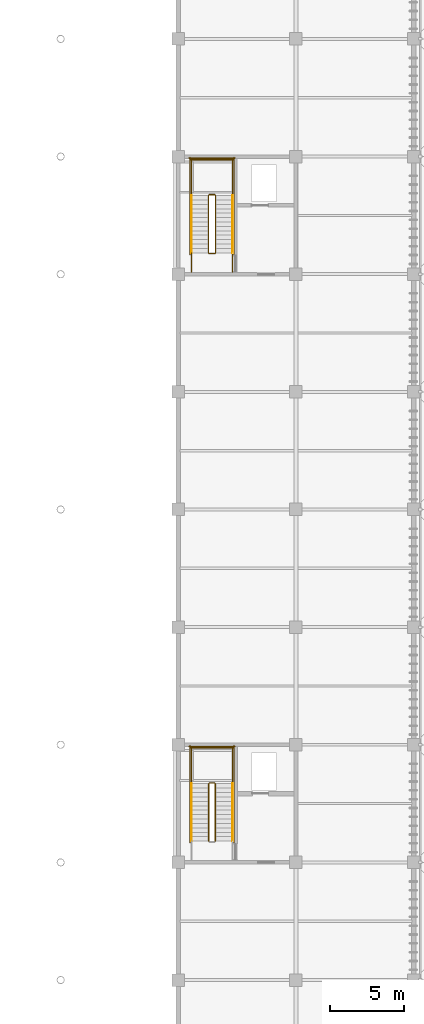
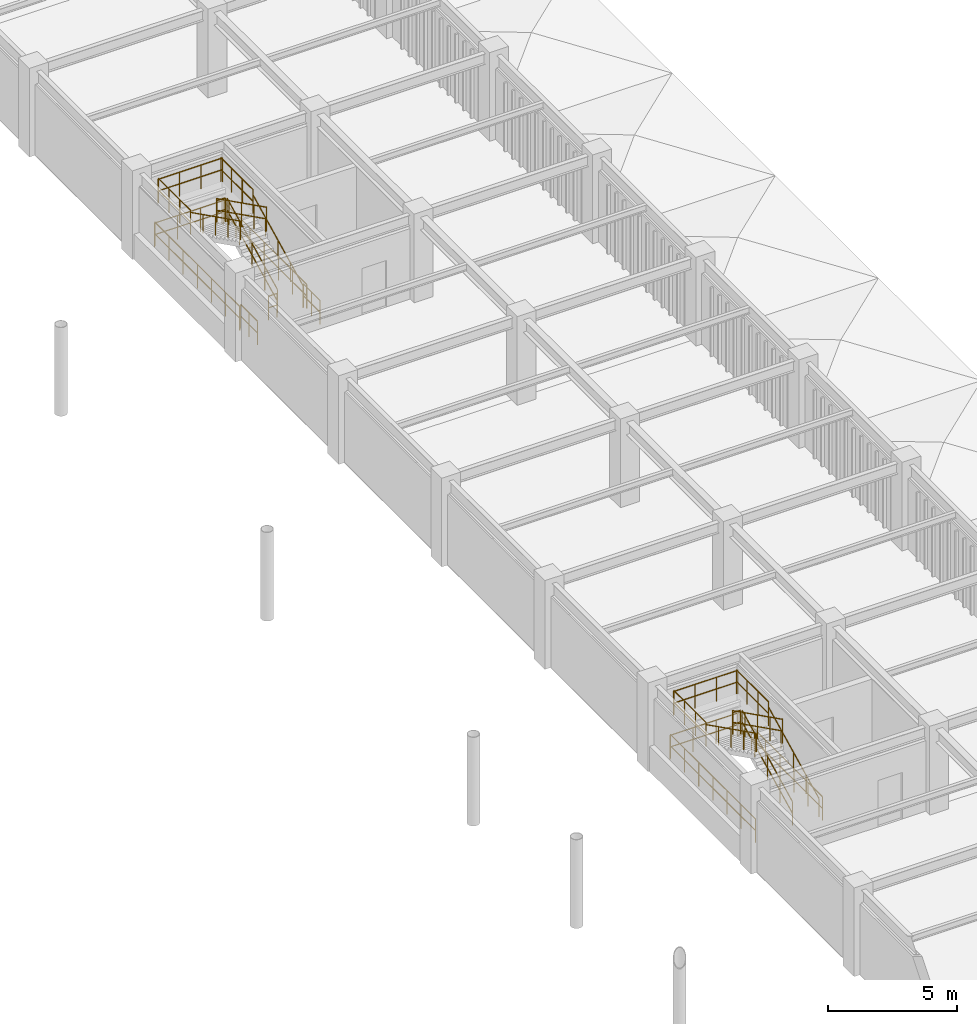
# One storey, part 76 of 78: 25 railings.
"""IFC4 building model written with IfcOpenShell, lengths in metres."""

from ifc_helpers import new_model, si_unit, direction, frame, origin, origin_2d, place, context, subcontext, project, spatial, circle, extrude, material, type_object, element, save


model = new_model("IFC4")

# Units and contexts
model_context = context("Model", 3, precision=1e-05, world=origin(), true_north=direction((0.0, 1.0)))
body_context = subcontext(model_context, "Body", "Model", "MODEL_VIEW")
ifc_project = project(units=[si_unit("LENGTHUNIT", "METRE"), si_unit("AREAUNIT", "SQUARE_METRE"), si_unit("VOLUMEUNIT", "CUBIC_METRE"), si_unit("PLANEANGLEUNIT", "RADIAN"), si_unit("MASSUNIT", "GRAM", prefix="KILO")], contexts=[model_context])

# Site, building, storey
site_placement = place(None, origin())
site = spatial("IfcSite", under=ifc_project, at=site_placement, CompositionType="ELEMENT")
building_placement = place(site_placement, origin())
building = spatial("IfcBuilding", under=site, at=building_placement, Name="Haebicheon Civic Stadium", CompositionType="ELEMENT")
storey_placement = place(building_placement, frame((0.0, 0.0, 18.60009765625)))
storey = spatial("IfcBuildingStorey", under=building, at=storey_placement, Name="L05", CompositionType="ELEMENT", Elevation=18.60009765625)

# Railings
ifc_material_1 = material(Name="Galvanised painted steel SM355", Category="steel")
railing_type_1 = type_object("IfcRailingType", Name="RL-GRD-1150", PredefinedType="GUARDRAIL", material=ifc_material_1)
railing_1_placement = place(storey_placement, frame((146.510009765625, 65.449951171875, 0.14990234375)))
element("IfcRailing", 1, at=railing_1_placement, inside=storey, type_object=railing_type_1, material=ifc_material_1, Name="L05 ST-10 stair guard 1", PredefinedType="GUARDRAIL", context=body_context, shape_type="SweptSolid", body=[
    extrude(circle(Radius=0.02392578125, at=origin_2d()), frame((0.0, 0.0, 1.1259765625), z_axis=(0.0, 0.894438388696, 0.447191199406), x_axis=(-1.0, 0.0, 0.0)), (0.0, 0.0, 1.0), 4.3603515625),
    extrude(circle(Radius=0.02392578125, at=origin_2d()), frame((0.0, 0.0, 0.574951171875), z_axis=(0.0, 0.894438388696, 0.447191199406), x_axis=(-1.0, 0.0, 0.0)), (0.0, 0.0, 1.0), 4.3603515625),
    extrude(circle(Radius=0.02099609375, at=origin_2d()), origin(), (0.0, 0.0, 1.0), 1.101806640625),
    extrude(circle(Radius=0.02099609375, at=origin_2d()), frame((0.0, 0.97509765625, 0.487548828125)), (0.0, 0.0, 1.0), 1.101806640625),
    extrude(circle(Radius=0.02099609375, at=origin_2d()), frame((0.0, 1.9501953125, 0.97509765625)), (0.0, 0.0, 1.0), 1.101806640625),
    extrude(circle(Radius=0.02099609375, at=origin_2d()), frame((0.0, 2.925048828125, 1.46240234375)), (0.0, 0.0, 1.0), 1.101806640625),
    extrude(circle(Radius=0.02099609375, at=origin_2d()), frame((0.0, 3.900146484375, 1.949951171875)), (0.0, 0.0, 1.0), 1.101806640625),
])
railing_2_placement = place(storey_placement, frame((146.4599609375, 69.39990234375, 2.099853515625)))
element("IfcRailing", 2, at=railing_2_placement, inside=storey, type_object=railing_type_1, material=ifc_material_1, Name="L05 ST-10 stair guard 2", PredefinedType="GUARDRAIL", context=body_context, shape_type="SweptSolid", body=[
    extrude(circle(Radius=0.02392578125, at=origin_2d()), frame((0.0, 0.0, 1.1259765625), z_axis=(-1.0, 0.0, 0.0), x_axis=(0.0, -1.0, 0.0)), (0.0, 0.0, 1.0), 0.33984375),
    extrude(circle(Radius=0.02392578125, at=origin_2d()), frame((0.0, 0.0, 0.574951171875), z_axis=(-1.0, 0.0, 0.0), x_axis=(0.0, -1.0, 0.0)), (0.0, 0.0, 1.0), 0.33984375),
    extrude(circle(Radius=0.02099609375, at=origin_2d()), origin(), (0.0, 0.0, 1.0), 1.101806640625),
    extrude(circle(Radius=0.02099609375, at=origin_2d()), frame((-0.33984375, 0.0, 0.0)), (0.0, 0.0, 1.0), 1.101806640625),
])
for number, where, name in (
    (3, (147.68994140625, 69.35009765625, 2.099853515625), "L05 ST-10 stair guard 3"),
    (4, (144.889892578125, 69.35009765625, 2.099853515625), "L05 ST-10 stair guard 4"),
):
    element("IfcRailing", number, at=place(storey_placement, frame(where)), inside=storey, type_object=railing_type_1, material=ifc_material_1, Name=name, PredefinedType="GUARDRAIL", context=body_context, shape_type="SweptSolid", body=[
        extrude(circle(Radius=0.02392578125, at=origin_2d()), frame((0.0, 0.0, 1.1259765625), z_axis=(0.0, 1.0, 0.0), x_axis=(-1.0, 0.0, 0.0)), (0.0, 0.0, 1.0), 2.489990234375),
        extrude(circle(Radius=0.02392578125, at=origin_2d()), frame((0.0, 0.0, 0.574951171875), z_axis=(0.0, 1.0, 0.0), x_axis=(-1.0, 0.0, 0.0)), (0.0, 0.0, 1.0), 2.489990234375),
        extrude(circle(Radius=0.02099609375, at=origin_2d()), origin(), (0.0, 0.0, 1.0), 1.101806640625),
        extrude(circle(Radius=0.02099609375, at=origin_2d()), frame((0.0, 0.830078125, 0.0)), (0.0, 0.0, 1.0), 1.101806640625),
        extrude(circle(Radius=0.02099609375, at=origin_2d()), frame((0.0, 1.659912109375, 0.0)), (0.0, 0.0, 1.0), 1.101806640625),
        extrude(circle(Radius=0.02099609375, at=origin_2d()), frame((0.0, 2.489990234375, 0.0)), (0.0, 0.0, 1.0), 1.101806640625),
    ])
railing_3_placement = place(storey_placement, frame((147.739990234375, 71.7900390625, 2.099853515625)))
element("IfcRailing", 5, at=railing_3_placement, inside=storey, type_object=railing_type_1, material=ifc_material_1, Name="L05 ST-10 stair guard 5", PredefinedType="GUARDRAIL", context=body_context, shape_type="SweptSolid", body=[
    extrude(circle(Radius=0.02392578125, at=origin_2d()), frame((0.0, 0.0, 1.1259765625), z_axis=(-1.0, 0.0, 0.0), x_axis=(0.0, -1.0, 0.0)), (0.0, 0.0, 1.0), 2.89990234375),
    extrude(circle(Radius=0.02392578125, at=origin_2d()), frame((0.0, 0.0, 0.574951171875), z_axis=(-1.0, 0.0, 0.0), x_axis=(0.0, -1.0, 0.0)), (0.0, 0.0, 1.0), 2.89990234375),
    extrude(circle(Radius=0.02099609375, at=origin_2d()), origin(), (0.0, 0.0, 1.0), 1.101806640625),
    extrude(circle(Radius=0.02099609375, at=origin_2d()), frame((-0.966552734375, 0.0, 0.0)), (0.0, 0.0, 1.0), 1.101806640625),
    extrude(circle(Radius=0.02099609375, at=origin_2d()), frame((-1.933349609375, 0.0, 0.0)), (0.0, 0.0, 1.0), 1.101806640625),
    extrude(circle(Radius=0.02099609375, at=origin_2d()), frame((-2.89990234375, 0.0, 0.0)), (0.0, 0.0, 1.0), 1.101806640625),
])
railing_4_placement = place(storey_placement, frame((146.070068359375, 69.35009765625, 2.25)))
element("IfcRailing", 6, at=railing_4_placement, inside=storey, type_object=railing_type_1, material=ifc_material_1, Name="L05 ST-10 stair guard 6", PredefinedType="GUARDRAIL", context=body_context, shape_type="SweptSolid", body=[
    extrude(circle(Radius=0.02392578125, at=origin_2d()), frame((0.0, 0.0, 1.1259765625), z_axis=(0.0, -0.894438388696, 0.447191199406), x_axis=(1.0, 0.0, 0.0)), (0.0, 0.0, 1.0), 4.3603515625),
    extrude(circle(Radius=0.02392578125, at=origin_2d()), frame((0.0, 0.0, 0.574951171875), z_axis=(0.0, -0.894438388696, 0.447191199406), x_axis=(1.0, 0.0, 0.0)), (0.0, 0.0, 1.0), 4.3603515625),
    extrude(circle(Radius=0.02099609375, at=origin_2d()), origin(), (0.0, 0.0, 1.0), 1.101806640625),
    extrude(circle(Radius=0.02099609375, at=origin_2d()), frame((0.0, -0.97509765625, 0.487548828125)), (0.0, 0.0, 1.0), 1.101806640625),
    extrude(circle(Radius=0.02099609375, at=origin_2d()), frame((0.0, -1.9501953125, 0.97509765625)), (0.0, 0.0, 1.0), 1.101806640625),
    extrude(circle(Radius=0.02099609375, at=origin_2d()), frame((0.0, -2.925048828125, 1.46240234375)), (0.0, 0.0, 1.0), 1.101806640625),
    extrude(circle(Radius=0.02099609375, at=origin_2d()), frame((0.0, -3.900146484375, 1.949951171875)), (0.0, 0.0, 1.0), 1.101806640625),
])
for number, where, name in (
    (7, (147.7900390625, 65.35009765625, 0.0), "L05 ST-10 stair guard 10"),
    (8, (144.7900390625, 65.35009765625, 0.0), "L05 ST-10 stair guard 11"),
):
    element("IfcRailing", number, at=place(storey_placement, frame(where)), inside=storey, type_object=railing_type_1, material=ifc_material_1, Name=name, PredefinedType="GUARDRAIL", context=body_context, shape_type="SweptSolid", body=[
        extrude(circle(Radius=0.02392578125, at=origin_2d()), frame((0.0, 0.0, 1.1259765625), z_axis=(0.0, 1.0, 0.0), x_axis=(-1.0, 0.0, 0.0)), (0.0, 0.0, 1.0), 6.58984375),
        extrude(circle(Radius=0.02392578125, at=origin_2d()), frame((0.0, 0.0, 0.574951171875), z_axis=(0.0, 1.0, 0.0), x_axis=(-1.0, 0.0, 0.0)), (0.0, 0.0, 1.0), 6.58984375),
        extrude(circle(Radius=0.02099609375, at=origin_2d()), origin(), (0.0, 0.0, 1.0), 1.101806640625),
        extrude(circle(Radius=0.02099609375, at=origin_2d()), frame((0.0, 1.098388671875, 0.0)), (0.0, 0.0, 1.0), 1.101806640625),
        extrude(circle(Radius=0.02099609375, at=origin_2d()), frame((0.0, 2.196533203125, 0.0)), (0.0, 0.0, 1.0), 1.101806640625),
        extrude(circle(Radius=0.02099609375, at=origin_2d()), frame((0.0, 3.294921875, 0.0)), (0.0, 0.0, 1.0), 1.101806640625),
        extrude(circle(Radius=0.02099609375, at=origin_2d()), frame((0.0, 4.393310546875, 0.0)), (0.0, 0.0, 1.0), 1.101806640625),
        extrude(circle(Radius=0.02099609375, at=origin_2d()), frame((0.0, 5.491455078125, 0.0)), (0.0, 0.0, 1.0), 1.101806640625),
        extrude(circle(Radius=0.02099609375, at=origin_2d()), frame((0.0, 6.58984375, 0.0)), (0.0, 0.0, 1.0), 1.101806640625),
    ])
railing_5_placement = place(storey_placement, frame((147.840087890625, 71.889892578125, 0.0)))
element("IfcRailing", 9, at=railing_5_placement, inside=storey, type_object=railing_type_1, material=ifc_material_1, Name="L05 ST-10 stair guard 12", PredefinedType="GUARDRAIL", context=body_context, shape_type="SweptSolid", body=[
    extrude(circle(Radius=0.02392578125, at=origin_2d()), frame((0.0, 0.0, 1.1259765625), z_axis=(-1.0, 0.0, 0.0), x_axis=(0.0, -1.0, 0.0)), (0.0, 0.0, 1.0), 3.10009765625),
    extrude(circle(Radius=0.02392578125, at=origin_2d()), frame((0.0, 0.0, 0.574951171875), z_axis=(-1.0, 0.0, 0.0), x_axis=(0.0, -1.0, 0.0)), (0.0, 0.0, 1.0), 3.10009765625),
    extrude(circle(Radius=0.02099609375, at=origin_2d()), origin(), (0.0, 0.0, 1.0), 1.101806640625),
    extrude(circle(Radius=0.02099609375, at=origin_2d()), frame((-1.033447265625, 0.0, 0.0)), (0.0, 0.0, 1.0), 1.101806640625),
    extrude(circle(Radius=0.02099609375, at=origin_2d()), frame((-2.066650390625, 0.0, 0.0)), (0.0, 0.0, 1.0), 1.101806640625),
    extrude(circle(Radius=0.02099609375, at=origin_2d()), frame((-3.10009765625, 0.0, 0.0)), (0.0, 0.0, 1.0), 1.101806640625),
])
railing_6_placement = place(storey_placement, frame((146.530029296875, 105.449951171875, 0.14990234375)))
element("IfcRailing", 10, at=railing_6_placement, inside=storey, type_object=railing_type_1, material=ifc_material_1, Name="L05 ST-11 stair guard 1", PredefinedType="GUARDRAIL", context=body_context, shape_type="SweptSolid", body=[
    extrude(circle(Radius=0.02392578125, at=origin_2d()), frame((0.0, 0.0, 1.1259765625), z_axis=(0.0, 0.894438388696, 0.447191199406), x_axis=(-1.0, 0.0, 0.0)), (0.0, 0.0, 1.0), 4.3603515625),
    extrude(circle(Radius=0.02392578125, at=origin_2d()), frame((0.0, 0.0, 0.574951171875), z_axis=(0.0, 0.894438388696, 0.447191199406), x_axis=(-1.0, 0.0, 0.0)), (0.0, 0.0, 1.0), 4.3603515625),
    extrude(circle(Radius=0.02099609375, at=origin_2d()), origin(), (0.0, 0.0, 1.0), 1.101806640625),
    extrude(circle(Radius=0.02099609375, at=origin_2d()), frame((0.0, 0.97509765625, 0.487548828125)), (0.0, 0.0, 1.0), 1.101806640625),
    extrude(circle(Radius=0.02099609375, at=origin_2d()), frame((0.0, 1.9501953125, 0.97509765625)), (0.0, 0.0, 1.0), 1.101806640625),
    extrude(circle(Radius=0.02099609375, at=origin_2d()), frame((0.0, 2.925048828125, 1.46240234375)), (0.0, 0.0, 1.0), 1.101806640625),
    extrude(circle(Radius=0.02099609375, at=origin_2d()), frame((0.0, 3.900146484375, 1.949951171875)), (0.0, 0.0, 1.0), 1.101806640625),
])
railing_7_placement = place(storey_placement, frame((146.47998046875, 109.39990234375, 2.099853515625)))
element("IfcRailing", 11, at=railing_7_placement, inside=storey, type_object=railing_type_1, material=ifc_material_1, Name="L05 ST-11 stair guard 2", PredefinedType="GUARDRAIL", context=body_context, shape_type="SweptSolid", body=[
    extrude(circle(Radius=0.02392578125, at=origin_2d()), frame((0.0, 0.0, 1.1259765625), z_axis=(-1.0, 0.0, 0.0), x_axis=(0.0, -1.0, 0.0)), (0.0, 0.0, 1.0), 0.3798828125),
    extrude(circle(Radius=0.02392578125, at=origin_2d()), frame((0.0, 0.0, 0.574951171875), z_axis=(-1.0, 0.0, 0.0), x_axis=(0.0, -1.0, 0.0)), (0.0, 0.0, 1.0), 0.3798828125),
    extrude(circle(Radius=0.02099609375, at=origin_2d()), origin(), (0.0, 0.0, 1.0), 1.101806640625),
    extrude(circle(Radius=0.02099609375, at=origin_2d()), frame((-0.3798828125, 0.0, 0.0)), (0.0, 0.0, 1.0), 1.101806640625),
])
for number, where, name in (
    (12, (147.68994140625, 109.35009765625, 2.099853515625), "L05 ST-11 stair guard 3"),
    (13, (144.889892578125, 109.35009765625, 2.099853515625), "L05 ST-11 stair guard 4"),
):
    element("IfcRailing", number, at=place(storey_placement, frame(where)), inside=storey, type_object=railing_type_1, material=ifc_material_1, Name=name, PredefinedType="GUARDRAIL", context=body_context, shape_type="SweptSolid", body=[
        extrude(circle(Radius=0.02392578125, at=origin_2d()), frame((0.0, 0.0, 1.1259765625), z_axis=(0.0, 1.0, 0.0), x_axis=(-1.0, 0.0, 0.0)), (0.0, 0.0, 1.0), 2.489990234375),
        extrude(circle(Radius=0.02392578125, at=origin_2d()), frame((0.0, 0.0, 0.574951171875), z_axis=(0.0, 1.0, 0.0), x_axis=(-1.0, 0.0, 0.0)), (0.0, 0.0, 1.0), 2.489990234375),
        extrude(circle(Radius=0.02099609375, at=origin_2d()), origin(), (0.0, 0.0, 1.0), 1.101806640625),
        extrude(circle(Radius=0.02099609375, at=origin_2d()), frame((0.0, 0.830078125, 0.0)), (0.0, 0.0, 1.0), 1.101806640625),
        extrude(circle(Radius=0.02099609375, at=origin_2d()), frame((0.0, 1.659912109375, 0.0)), (0.0, 0.0, 1.0), 1.101806640625),
        extrude(circle(Radius=0.02099609375, at=origin_2d()), frame((0.0, 2.489990234375, 0.0)), (0.0, 0.0, 1.0), 1.101806640625),
    ])
railing_8_placement = place(storey_placement, frame((147.739990234375, 111.7900390625, 2.099853515625)))
element("IfcRailing", 14, at=railing_8_placement, inside=storey, type_object=railing_type_1, material=ifc_material_1, Name="L05 ST-11 stair guard 5", PredefinedType="GUARDRAIL", context=body_context, shape_type="SweptSolid", body=[
    extrude(circle(Radius=0.02392578125, at=origin_2d()), frame((0.0, 0.0, 1.1259765625), z_axis=(-1.0, 0.0, 0.0), x_axis=(0.0, -1.0, 0.0)), (0.0, 0.0, 1.0), 2.89990234375),
    extrude(circle(Radius=0.02392578125, at=origin_2d()), frame((0.0, 0.0, 0.574951171875), z_axis=(-1.0, 0.0, 0.0), x_axis=(0.0, -1.0, 0.0)), (0.0, 0.0, 1.0), 2.89990234375),
    extrude(circle(Radius=0.02099609375, at=origin_2d()), origin(), (0.0, 0.0, 1.0), 1.101806640625),
    extrude(circle(Radius=0.02099609375, at=origin_2d()), frame((-0.966552734375, 0.0, 0.0)), (0.0, 0.0, 1.0), 1.101806640625),
    extrude(circle(Radius=0.02099609375, at=origin_2d()), frame((-1.933349609375, 0.0, 0.0)), (0.0, 0.0, 1.0), 1.101806640625),
    extrude(circle(Radius=0.02099609375, at=origin_2d()), frame((-2.89990234375, 0.0, 0.0)), (0.0, 0.0, 1.0), 1.101806640625),
])
railing_9_placement = place(storey_placement, frame((146.050048828125, 109.35009765625, 2.25)))
element("IfcRailing", 15, at=railing_9_placement, inside=storey, type_object=railing_type_1, material=ifc_material_1, Name="L05 ST-11 stair guard 6", PredefinedType="GUARDRAIL", context=body_context, shape_type="SweptSolid", body=[
    extrude(circle(Radius=0.02392578125, at=origin_2d()), frame((0.0, 0.0, 1.1259765625), z_axis=(0.0, -0.894438388696, 0.447191199406), x_axis=(1.0, 0.0, 0.0)), (0.0, 0.0, 1.0), 4.3603515625),
    extrude(circle(Radius=0.02392578125, at=origin_2d()), frame((0.0, 0.0, 0.574951171875), z_axis=(0.0, -0.894438388696, 0.447191199406), x_axis=(1.0, 0.0, 0.0)), (0.0, 0.0, 1.0), 4.3603515625),
    extrude(circle(Radius=0.02099609375, at=origin_2d()), origin(), (0.0, 0.0, 1.0), 1.101806640625),
    extrude(circle(Radius=0.02099609375, at=origin_2d()), frame((0.0, -0.97509765625, 0.487548828125)), (0.0, 0.0, 1.0), 1.101806640625),
    extrude(circle(Radius=0.02099609375, at=origin_2d()), frame((0.0, -1.9501953125, 0.97509765625)), (0.0, 0.0, 1.0), 1.101806640625),
    extrude(circle(Radius=0.02099609375, at=origin_2d()), frame((0.0, -2.925048828125, 1.46240234375)), (0.0, 0.0, 1.0), 1.101806640625),
    extrude(circle(Radius=0.02099609375, at=origin_2d()), frame((0.0, -3.900146484375, 1.949951171875)), (0.0, 0.0, 1.0), 1.101806640625),
])
railing_10_placement = place(storey_placement, frame((146.47998046875, 105.39990234375, 0.0)))
element("IfcRailing", 16, at=railing_10_placement, inside=storey, type_object=railing_type_1, material=ifc_material_1, Name="L05 ST-11 stair guard 7", PredefinedType="GUARDRAIL", context=body_context, shape_type="SweptSolid", body=[
    extrude(circle(Radius=0.02392578125, at=origin_2d()), frame((0.0, 0.0, 1.1259765625), z_axis=(-1.0, 0.0, 0.0), x_axis=(0.0, -1.0, 0.0)), (0.0, 0.0, 1.0), 0.3798828125),
    extrude(circle(Radius=0.02392578125, at=origin_2d()), frame((0.0, 0.0, 0.574951171875), z_axis=(-1.0, 0.0, 0.0), x_axis=(0.0, -1.0, 0.0)), (0.0, 0.0, 1.0), 0.3798828125),
    extrude(circle(Radius=0.02099609375, at=origin_2d()), origin(), (0.0, 0.0, 1.0), 1.101806640625),
    extrude(circle(Radius=0.02099609375, at=origin_2d()), frame((-0.3798828125, 0.0, 0.0)), (0.0, 0.0, 1.0), 1.101806640625),
])
for number, where, name in (
    (17, (147.68994140625, 104.159912109375, 0.0), "L05 ST-11 stair guard 8"),
    (18, (144.889892578125, 104.159912109375, 0.0), "L05 ST-11 stair guard 9"),
):
    element("IfcRailing", number, at=place(storey_placement, frame(where)), inside=storey, type_object=railing_type_1, material=ifc_material_1, Name=name, PredefinedType="GUARDRAIL", context=body_context, shape_type="SweptSolid", body=[
        extrude(circle(Radius=0.02392578125, at=origin_2d()), frame((0.0, 0.0, 1.1259765625), z_axis=(0.0, 1.0, 0.0), x_axis=(-1.0, 0.0, 0.0)), (0.0, 0.0, 1.0), 1.2900390625),
        extrude(circle(Radius=0.02392578125, at=origin_2d()), frame((0.0, 0.0, 0.574951171875), z_axis=(0.0, 1.0, 0.0), x_axis=(-1.0, 0.0, 0.0)), (0.0, 0.0, 1.0), 1.2900390625),
        extrude(circle(Radius=0.02099609375, at=origin_2d()), origin(), (0.0, 0.0, 1.0), 1.101806640625),
        extrude(circle(Radius=0.02099609375, at=origin_2d()), frame((0.0, 0.64501953125, 0.0)), (0.0, 0.0, 1.0), 1.101806640625),
        extrude(circle(Radius=0.02099609375, at=origin_2d()), frame((0.0, 1.2900390625, 0.0)), (0.0, 0.0, 1.0), 1.101806640625),
    ])
for number, where, name in (
    (19, (147.7900390625, 105.35009765625, 0.0), "L05 ST-11 stair guard 10"),
    (20, (144.7900390625, 105.35009765625, 0.0), "L05 ST-11 stair guard 11"),
):
    element("IfcRailing", number, at=place(storey_placement, frame(where)), inside=storey, type_object=railing_type_1, material=ifc_material_1, Name=name, PredefinedType="GUARDRAIL", context=body_context, shape_type="SweptSolid", body=[
        extrude(circle(Radius=0.02392578125, at=origin_2d()), frame((0.0, 0.0, 1.1259765625), z_axis=(0.0, 1.0, 0.0), x_axis=(-1.0, 0.0, 0.0)), (0.0, 0.0, 1.0), 6.58984375),
        extrude(circle(Radius=0.02392578125, at=origin_2d()), frame((0.0, 0.0, 0.574951171875), z_axis=(0.0, 1.0, 0.0), x_axis=(-1.0, 0.0, 0.0)), (0.0, 0.0, 1.0), 6.58984375),
        extrude(circle(Radius=0.02099609375, at=origin_2d()), origin(), (0.0, 0.0, 1.0), 1.101806640625),
        extrude(circle(Radius=0.02099609375, at=origin_2d()), frame((0.0, 1.098388671875, 0.0)), (0.0, 0.0, 1.0), 1.101806640625),
        extrude(circle(Radius=0.02099609375, at=origin_2d()), frame((0.0, 2.196533203125, 0.0)), (0.0, 0.0, 1.0), 1.101806640625),
        extrude(circle(Radius=0.02099609375, at=origin_2d()), frame((0.0, 3.294921875, 0.0)), (0.0, 0.0, 1.0), 1.101806640625),
        extrude(circle(Radius=0.02099609375, at=origin_2d()), frame((0.0, 4.393310546875, 0.0)), (0.0, 0.0, 1.0), 1.101806640625),
        extrude(circle(Radius=0.02099609375, at=origin_2d()), frame((0.0, 5.491455078125, 0.0)), (0.0, 0.0, 1.0), 1.101806640625),
        extrude(circle(Radius=0.02099609375, at=origin_2d()), frame((0.0, 6.58984375, 0.0)), (0.0, 0.0, 1.0), 1.101806640625),
    ])
railing_11_placement = place(storey_placement, frame((147.840087890625, 111.889892578125, 0.0)))
element("IfcRailing", 21, at=railing_11_placement, inside=storey, type_object=railing_type_1, material=ifc_material_1, Name="L05 ST-11 stair guard 12", PredefinedType="GUARDRAIL", context=body_context, shape_type="SweptSolid", body=[
    extrude(circle(Radius=0.02392578125, at=origin_2d()), frame((0.0, 0.0, 1.1259765625), z_axis=(-1.0, 0.0, 0.0), x_axis=(0.0, -1.0, 0.0)), (0.0, 0.0, 1.0), 3.10009765625),
    extrude(circle(Radius=0.02392578125, at=origin_2d()), frame((0.0, 0.0, 0.574951171875), z_axis=(-1.0, 0.0, 0.0), x_axis=(0.0, -1.0, 0.0)), (0.0, 0.0, 1.0), 3.10009765625),
    extrude(circle(Radius=0.02099609375, at=origin_2d()), origin(), (0.0, 0.0, 1.0), 1.101806640625),
    extrude(circle(Radius=0.02099609375, at=origin_2d()), frame((-1.033447265625, 0.0, 0.0)), (0.0, 0.0, 1.0), 1.101806640625),
    extrude(circle(Radius=0.02099609375, at=origin_2d()), frame((-2.066650390625, 0.0, 0.0)), (0.0, 0.0, 1.0), 1.101806640625),
    extrude(circle(Radius=0.02099609375, at=origin_2d()), frame((-3.10009765625, 0.0, 0.0)), (0.0, 0.0, 1.0), 1.101806640625),
])
ifc_material_2 = material(Name="Stainless steel 316", Category="steel")
railing_type_2 = type_object("IfcRailingType", Name="RL-HND-900", PredefinedType="HANDRAIL", material=ifc_material_2)
railing_12_placement = place(storey_placement, frame((147.68994140625, 65.449951171875, 0.14990234375)))
element("IfcRailing", 22, at=railing_12_placement, inside=storey, type_object=railing_type_2, material=ifc_material_2, Name="L05 ST-10 stair handrail 1", PredefinedType="HANDRAIL", context=body_context, shape_type="SweptSolid", body=[
    extrude(circle(Radius=0.02392578125, at=origin_2d()), frame((0.0, 0.0, 0.8759765625), z_axis=(0.0, 0.894438388696, 0.447191199406), x_axis=(-1.0, 0.0, 0.0)), (0.0, 0.0, 1.0), 4.3603515625),
    extrude(circle(Radius=0.02099609375, at=origin_2d()), origin(), (0.0, 0.0, 1.0), 0.851806640625),
    extrude(circle(Radius=0.02099609375, at=origin_2d()), frame((0.0, 0.97509765625, 0.487548828125)), (0.0, 0.0, 1.0), 0.851806640625),
    extrude(circle(Radius=0.02099609375, at=origin_2d()), frame((0.0, 1.9501953125, 0.97509765625)), (0.0, 0.0, 1.0), 0.851806640625),
    extrude(circle(Radius=0.02099609375, at=origin_2d()), frame((0.0, 2.925048828125, 1.46240234375)), (0.0, 0.0, 1.0), 0.851806640625),
    extrude(circle(Radius=0.02099609375, at=origin_2d()), frame((0.0, 3.900146484375, 1.949951171875)), (0.0, 0.0, 1.0), 0.851806640625),
])
railing_13_placement = place(storey_placement, frame((144.889892578125, 69.35009765625, 2.25)))
element("IfcRailing", 23, at=railing_13_placement, inside=storey, type_object=railing_type_2, material=ifc_material_2, Name="L05 ST-10 stair handrail 2", PredefinedType="HANDRAIL", context=body_context, shape_type="SweptSolid", body=[
    extrude(circle(Radius=0.02392578125, at=origin_2d()), frame((0.0, 0.0, 0.8759765625), z_axis=(0.0, -0.894438388696, 0.447191199406), x_axis=(1.0, 0.0, 0.0)), (0.0, 0.0, 1.0), 4.3603515625),
    extrude(circle(Radius=0.02099609375, at=origin_2d()), origin(), (0.0, 0.0, 1.0), 0.851806640625),
    extrude(circle(Radius=0.02099609375, at=origin_2d()), frame((0.0, -0.97509765625, 0.487548828125)), (0.0, 0.0, 1.0), 0.851806640625),
    extrude(circle(Radius=0.02099609375, at=origin_2d()), frame((0.0, -1.9501953125, 0.97509765625)), (0.0, 0.0, 1.0), 0.851806640625),
    extrude(circle(Radius=0.02099609375, at=origin_2d()), frame((0.0, -2.925048828125, 1.46240234375)), (0.0, 0.0, 1.0), 0.851806640625),
    extrude(circle(Radius=0.02099609375, at=origin_2d()), frame((0.0, -3.900146484375, 1.949951171875)), (0.0, 0.0, 1.0), 0.851806640625),
])
railing_14_placement = place(storey_placement, frame((147.68994140625, 105.449951171875, 0.14990234375)))
element("IfcRailing", 24, at=railing_14_placement, inside=storey, type_object=railing_type_2, material=ifc_material_2, Name="L05 ST-11 stair handrail 1", PredefinedType="HANDRAIL", context=body_context, shape_type="SweptSolid", body=[
    extrude(circle(Radius=0.02392578125, at=origin_2d()), frame((0.0, 0.0, 0.8759765625), z_axis=(0.0, 0.894438388696, 0.447191199406), x_axis=(-1.0, 0.0, 0.0)), (0.0, 0.0, 1.0), 4.3603515625),
    extrude(circle(Radius=0.02099609375, at=origin_2d()), origin(), (0.0, 0.0, 1.0), 0.851806640625),
    extrude(circle(Radius=0.02099609375, at=origin_2d()), frame((0.0, 0.97509765625, 0.487548828125)), (0.0, 0.0, 1.0), 0.851806640625),
    extrude(circle(Radius=0.02099609375, at=origin_2d()), frame((0.0, 1.9501953125, 0.97509765625)), (0.0, 0.0, 1.0), 0.851806640625),
    extrude(circle(Radius=0.02099609375, at=origin_2d()), frame((0.0, 2.925048828125, 1.46240234375)), (0.0, 0.0, 1.0), 0.851806640625),
    extrude(circle(Radius=0.02099609375, at=origin_2d()), frame((0.0, 3.900146484375, 1.949951171875)), (0.0, 0.0, 1.0), 0.851806640625),
])
railing_15_placement = place(storey_placement, frame((144.889892578125, 109.35009765625, 2.25)))
element("IfcRailing", 25, at=railing_15_placement, inside=storey, type_object=railing_type_2, material=ifc_material_2, Name="L05 ST-11 stair handrail 2", PredefinedType="HANDRAIL", context=body_context, shape_type="SweptSolid", body=[
    extrude(circle(Radius=0.02392578125, at=origin_2d()), frame((0.0, 0.0, 0.8759765625), z_axis=(0.0, -0.894438388696, 0.447191199406), x_axis=(1.0, 0.0, 0.0)), (0.0, 0.0, 1.0), 4.3603515625),
    extrude(circle(Radius=0.02099609375, at=origin_2d()), origin(), (0.0, 0.0, 1.0), 0.851806640625),
    extrude(circle(Radius=0.02099609375, at=origin_2d()), frame((0.0, -0.97509765625, 0.487548828125)), (0.0, 0.0, 1.0), 0.851806640625),
    extrude(circle(Radius=0.02099609375, at=origin_2d()), frame((0.0, -1.9501953125, 0.97509765625)), (0.0, 0.0, 1.0), 0.851806640625),
    extrude(circle(Radius=0.02099609375, at=origin_2d()), frame((0.0, -2.925048828125, 1.46240234375)), (0.0, 0.0, 1.0), 0.851806640625),
    extrude(circle(Radius=0.02099609375, at=origin_2d()), frame((0.0, -3.900146484375, 1.949951171875)), (0.0, 0.0, 1.0), 0.851806640625),
])

save(model, "model.ifc")
